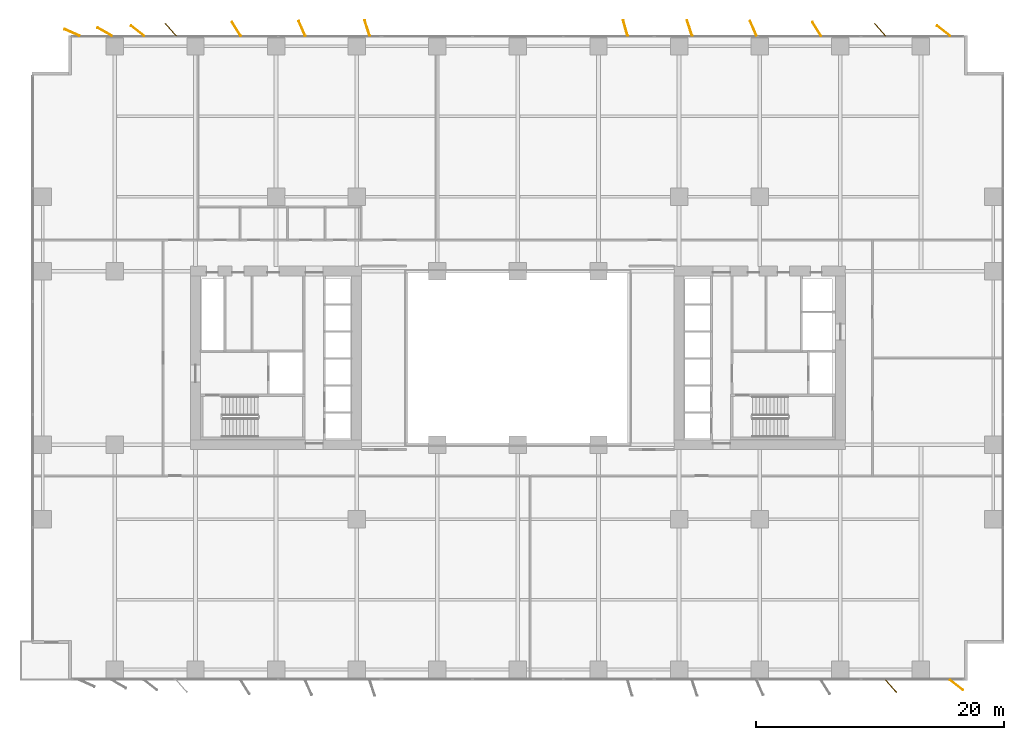
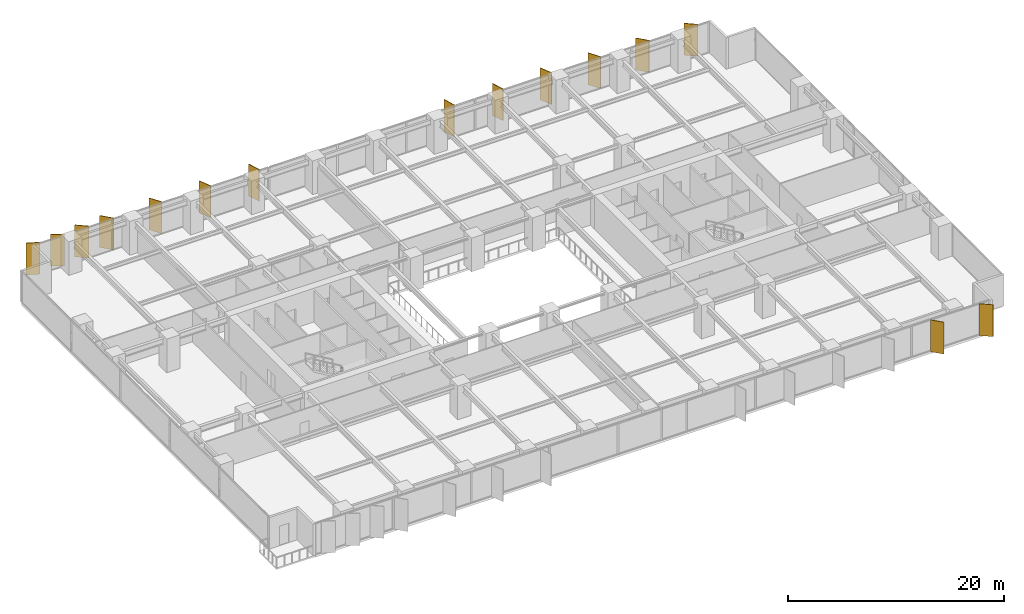
# One storey, part 20 of 20: 15 shading devices.
"""IFC4 building model written with IfcOpenShell, lengths in metres."""

from ifc_helpers import new_model, si_unit, direction, frame, origin, origin_2d, place, context, subcontext, project, spatial, rectangle, extrude, material, layer, layer_set, type_object, element, save


model = new_model("IFC4")

# Units and contexts
model_context = context("Model", 3, precision=1e-05, world=origin(), true_north=direction((0.0, 1.0)))
body_context = subcontext(model_context, "Body", "Model", "MODEL_VIEW")
ifc_project = project(units=[si_unit("LENGTHUNIT", "METRE"), si_unit("AREAUNIT", "SQUARE_METRE"), si_unit("VOLUMEUNIT", "CUBIC_METRE"), si_unit("PLANEANGLEUNIT", "RADIAN"), si_unit("MASSUNIT", "GRAM", prefix="KILO")], contexts=[model_context])

# Site, building, storey
site_placement = place(None, origin())
site = spatial("IfcSite", under=ifc_project, at=site_placement, CompositionType="ELEMENT")
building_placement = place(site_placement, origin())
building = spatial("IfcBuilding", under=site, at=building_placement, Name="Putna Gate Headquarters", CompositionType="ELEMENT")
storey_placement = place(building_placement, frame((0.0, 0.0, 31.60009765625)))
storey = spatial("IfcBuildingStorey", under=building, at=storey_placement, Name="L06", CompositionType="ELEMENT", Elevation=31.60009765625)

# Shading devices
ifc_material = material(Name="Anodised architectural bronze aluminium fin", Category="aluminium")
ifc_layer = layer(ifc_material, 0.06494140625)
ifc_layer_set = layer_set([ifc_layer], Name="Anodised architectural bronze aluminium fin")
shading_device_type = type_object("IfcShadingDeviceType", Name="SHADE-BRONZE-FIN-1320", PredefinedType="USERDEFINED", material=ifc_layer_set)
for number, where, z_axis, x_axis, name in (
    (1, (3.047119140625, 52.2431640625, -0.02001953125), (0.0, 0.0, 1.0), (-0.913687379856, 0.40641773078, 0.0), "L06 Bronze Vertical Shading Fin N1"),
    (2, (5.67626953125, 52.30126953125, -0.02001953125), (0.0, 0.0, 1.0), (-0.869322458298, 0.494245347472, 0.0), "L06 Bronze Vertical Shading Fin N2"),
    (3, (8.330322265625, 52.3818359375, -0.02001953125), (0.0, 0.0, 1.0), (-0.787473187632, 0.616348909921, 0.0), "L06 Bronze Vertical Shading Fin N3"),
    (4, (11.00830078125, 52.465576171875, -0.02001953125), (0.0, 0.0, 1.0), (-0.669130606359, 0.743144825477, 0.0), "L06 Bronze Vertical Shading Fin N4"),
    (5, (16.2998046875, 52.534423828125, -0.02001953125), (0.0, 0.0, 1.0), (-0.530659123936, 0.847585331506, 0.0), "L06 Bronze Vertical Shading Fin N5"),
    (6, (21.585693359375, 52.57958984375, -0.02001953125), (0.0, 0.0, 1.0), (-0.400668879095, 0.916222925562, 0.0), "L06 Bronze Vertical Shading Fin N6"),
    (7, (26.84619140625, 52.602783203125, -0.02001953125), (0.0, 0.0, 1.0), (-0.308684994204, 0.951164325631, 0.0), "L06 Bronze Vertical Shading Fin N7"),
    (8, (47.668212890625, 52.609375, -0.02001953125), (0.0, 0.0, 1.0), (-0.275637355817, 0.961261695938, 0.0), "L06 Bronze Vertical Shading Fin N8"),
    (9, (52.84619140625, 52.602783203125, -0.02001953125), (0.0, 0.0, 1.0), (-0.308684994204, 0.951164325631, 0.0), "L06 Bronze Vertical Shading Fin N9"),
    (10, (57.985595703125, 52.57958984375, -0.02001953125), (0.0, 0.0, 1.0), (-0.400668879095, 0.916222925562, 0.0), "L06 Bronze Vertical Shading Fin N10"),
    (11, (63.099853515625, 52.534423828125, -0.02001953125), (0.0, 0.0, 1.0), (-0.530659123936, 0.847585331506, 0.0), "L06 Bronze Vertical Shading Fin N11"),
    (12, (69.091552734375, -0.465576171875, -0.02001953125), (0.0, 0.0, 1.0), (0.669130606359, -0.743144825477, 0.0), "L06 Bronze Vertical Shading Fin S12"),
    (13, (68.20849609375, 52.465576171875, -0.02001953125), (0.0, 0.0, 1.0), (-0.669130606359, 0.743144825477, 0.0), "L06 Bronze Vertical Shading Fin N12"),
    (14, (74.36962890625, -0.3818359375, -0.02001953125), (0.0, 0.0, 1.0), (0.787473187632, -0.616348909921, 0.0), "L06 Bronze Vertical Shading Fin S13"),
    (15, (73.330322265625, 52.3818359375, -0.02001953125), (0.0, 0.0, 1.0), (-0.787473187632, 0.616348909921, 0.0), "L06 Bronze Vertical Shading Fin N13"),
):
    element("IfcShadingDevice", number, at=place(storey_placement, frame(where, z_axis=z_axis, x_axis=x_axis)), inside=storey, type_object=shading_device_type, Name=name, ObjectType="FIN", PredefinedType="USERDEFINED", context=body_context, shape_type="SweptSolid", body=[
        extrude(rectangle(XDim=1.320068359375, YDim=0.06494140625, at=origin_2d()), origin(), (0.0, 0.0, 1.0), 3.590087890625),
    ])

save(model, "model.ifc")
